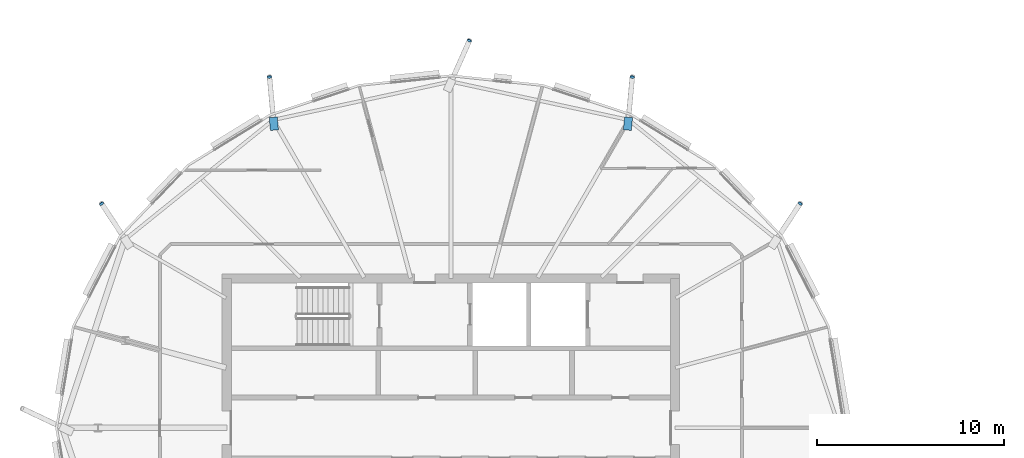
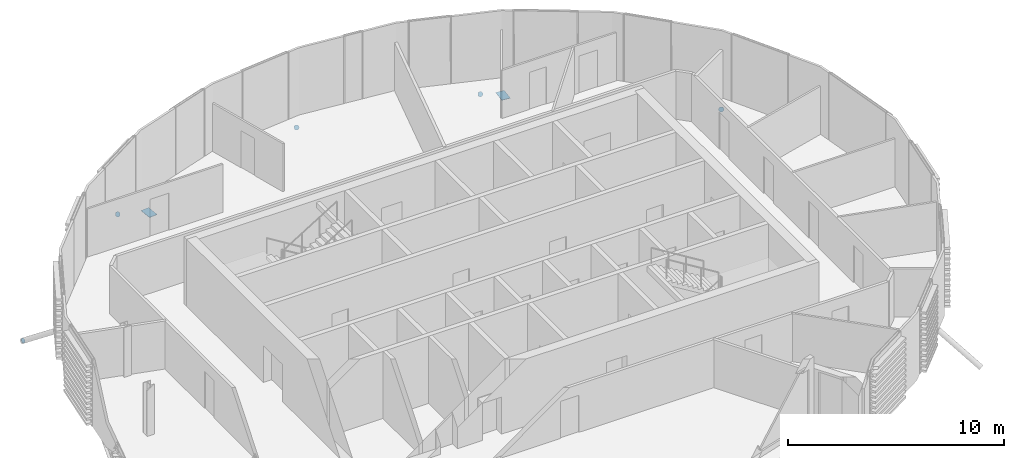
# One storey, part 29 of 41: 7 discrete accessories.
"""IFC4 building model written with IfcOpenShell, lengths in metres."""

from ifc_helpers import new_model, si_unit, direction, frame, origin, origin_2d, place, context, subcontext, project, spatial, polyline, rectangle, circle, outline, extrude, material, material_profile, profile_set, type_object, element, save


model = new_model("IFC4")

# Units and contexts
model_context = context("Model", 3, precision=1e-05, world=origin(), true_north=direction((0.0, 1.0)))
body_context = subcontext(model_context, "Body", "Model", "MODEL_VIEW")
ifc_project = project(units=[si_unit("LENGTHUNIT", "METRE"), si_unit("AREAUNIT", "SQUARE_METRE"), si_unit("VOLUMEUNIT", "CUBIC_METRE"), si_unit("PLANEANGLEUNIT", "RADIAN"), si_unit("MASSUNIT", "GRAM", prefix="KILO")], contexts=[model_context])

# Site, building, storey
site_placement = place(None, origin())
site = spatial("IfcSite", under=ifc_project, at=site_placement, CompositionType="ELEMENT")
building_placement = place(site_placement, origin())
building = spatial("IfcBuilding", under=site, at=building_placement, Name="Rimbun Link Towers", CompositionType="ELEMENT")
storey_placement = place(building_placement, frame((0.0, 0.0, 210.5)))
storey = spatial("IfcBuildingStorey", under=building, at=storey_placement, Name="L51", CompositionType="ELEMENT", Elevation=210.5)

# Discrete accessories
ifc_material_1 = material(Name="Steel S355J2H", Category="steel")
ifc_material_profile_1 = material_profile(ifc_material_1, circle(Radius=0.1240234375, at=origin_2d()), Name="PL D248")
ifc_profile_set_1 = profile_set([ifc_material_profile_1], Name="Steel S355J2H")
discrete_accessory_type_1 = type_object("IfcDiscreteAccessoryType", Name="Link foot sealing plate D248X20", PredefinedType="BRACKET", material=ifc_profile_set_1)
for number, where, z_axis, x_axis, name in (
    (1, (-13.049072265625, 12.007080078125, -2.109375), (0.462726972936, 0.706267485008, -0.535789126558), (-0.83646112958, 0.548026257311, 0.0), "Link foot sealing plate T1 L51 02"),
    (2, (-22.03662109375, 18.786376953125, -2.209716796875), (0.084899954968, 0.848999549684, -0.521528294806), (-0.99503719021, 0.099503719021, 0.0), "Link foot sealing plate T1 L51 04"),
    (3, (-30.76220703125, 20.732421875, -2.219482421875), (0.34233000975, 0.794694665491, -0.501268942848), (-0.918412615811, 0.395623896042, 0.0), "Link foot sealing plate T1 L51 06"),
    (4, (-41.46337890625, 18.786376953125, -2.209716796875), (-0.084899954968, 0.848999549684, -0.521528294806), (-0.99503719021, -0.099503719021, 0.0), "Link foot sealing plate T1 L51 08"),
    (5, (-50.450927734375, 12.007080078125, -2.109375), (-0.462726972936, 0.706267485008, -0.535789126558), (-0.83646112958, -0.548026257311, 0.0), "Link foot sealing plate T1 L51 10"),
):
    element("IfcDiscreteAccessory", number, at=place(storey_placement, frame(where, z_axis=z_axis, x_axis=x_axis)), inside=storey, type_object=discrete_accessory_type_1, Name=name, PredefinedType="BRACKET", context=body_context, shape_type="SweptSolid", body=[
        extrude(circle(Radius=0.1240234375, at=origin_2d()), origin(), (0.0, 0.0, 1.0), 0.02001953125),
    ])
ifc_material_2 = material(Name="Steel S355J2H", Category="steel")
ifc_material_profile_2 = material_profile(ifc_material_2, rectangle(XDim=0.43310546875, YDim=0.43310546875, at=origin_2d()), Name="PL 433x433")
ifc_profile_set_2 = profile_set([ifc_material_profile_2], Name="Steel S355J2H")
discrete_accessory_type_2 = type_object("IfcDiscreteAccessoryType", Name="Link head end plate 433X20", PredefinedType="BRACKET", material=ifc_profile_set_2)
discrete_accessory_1_placement = place(storey_placement, frame((0.0, 0.0, -0.693115234375)))
element("IfcDiscreteAccessory", 6, at=discrete_accessory_1_placement, inside=storey, type_object=discrete_accessory_type_2, Name="Link head end plate T1 L51 04", PredefinedType="BRACKET", context=body_context, shape_type="SweptSolid", body=[
    extrude(outline(polyline([(-22.083740234375, 15.92822265625), (-22.0205078125, 16.61279296875), (-22.45166015625, 16.652587890625), (-22.514892578125, 15.96826171875), (-22.083740234375, 15.92822265625)])), origin(), (0.0, 0.0, 1.0), 0.02001953125),
])
discrete_accessory_2_placement = place(storey_placement, frame((0.0, 0.0, -0.693115234375)))
element("IfcDiscreteAccessory", 7, at=discrete_accessory_2_placement, inside=storey, type_object=discrete_accessory_type_2, Name="Link head end plate T1 L51 08", PredefinedType="BRACKET", context=body_context, shape_type="SweptSolid", body=[
    extrude(outline(polyline([(-40.985107421875, 15.96826171875), (-41.04833984375, 16.652587890625), (-41.4794921875, 16.61279296875), (-41.416259765625, 15.92822265625), (-40.985107421875, 15.96826171875)])), origin(), (0.0, 0.0, 1.0), 0.02001953125),
])

save(model, "model.ifc")
